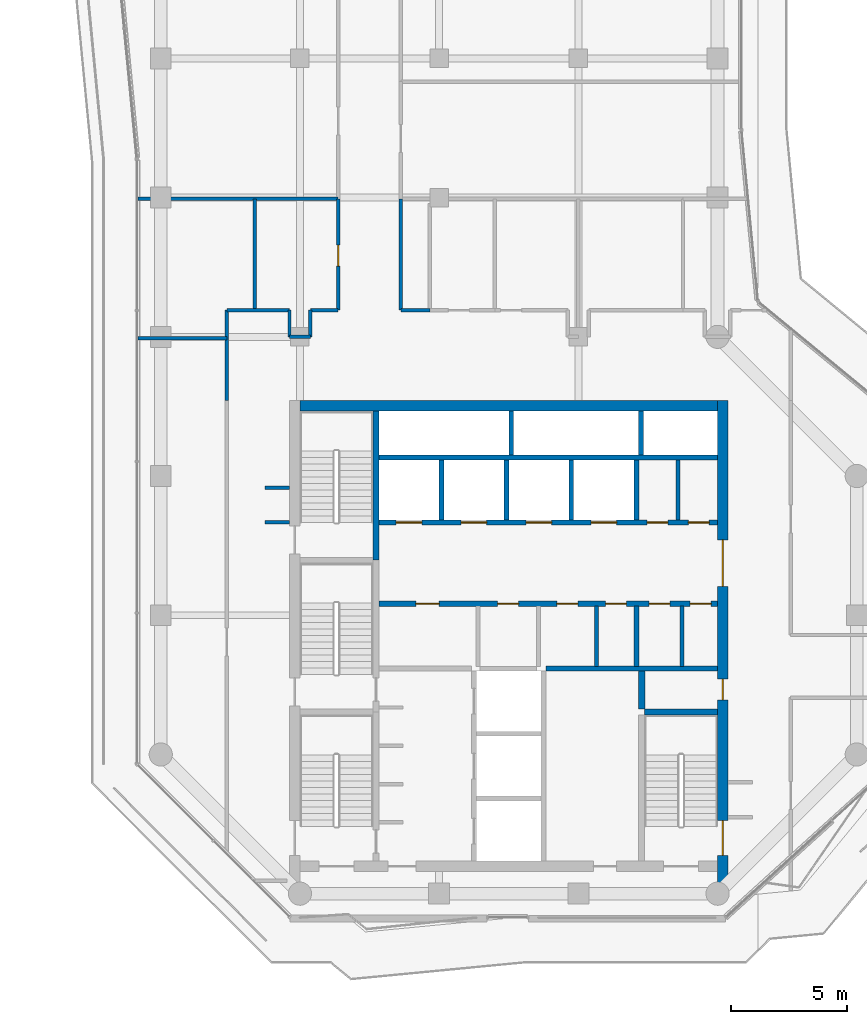
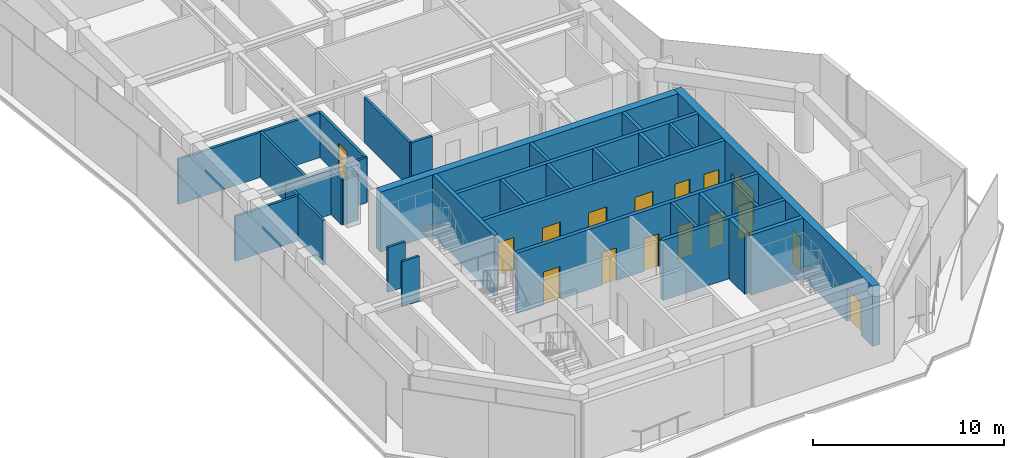
# One storey, part 19 of 23: 33 walls, 16 doors, 16 openings.
"""IFC4 building model written with IfcOpenShell, lengths in metres."""

from ifc_helpers import new_model, si_unit, direction, frame, frame_2d, origin, place, context, subcontext, project, spatial, rectangle, extrude, material, layer, layer_set, type_object, element, fill, save


model = new_model("IFC4")

# Units and contexts
model_context = context("Model", 3, precision=1e-05, world=origin(), true_north=direction((0.0, 1.0)))
body_context = subcontext(model_context, "Body", "Model", "MODEL_VIEW")
ifc_project = project(units=[si_unit("LENGTHUNIT", "METRE"), si_unit("AREAUNIT", "SQUARE_METRE"), si_unit("VOLUMEUNIT", "CUBIC_METRE"), si_unit("PLANEANGLEUNIT", "RADIAN"), si_unit("MASSUNIT", "GRAM", prefix="KILO")], contexts=[model_context])

# Site, building, storey
site_placement = place(None, origin())
site = spatial("IfcSite", under=ifc_project, at=site_placement, CompositionType="ELEMENT")
building_placement = place(site_placement, origin())
building = spatial("IfcBuilding", under=site, at=building_placement, Name="Welwitschia Terrace Campus", CompositionType="ELEMENT")
storey_placement = place(building_placement, frame((0.0, 0.0, 205.39990234375)))
storey = spatial("IfcBuildingStorey", under=building, at=storey_placement, Name="L45", CompositionType="ELEMENT", Elevation=205.39990234375)

# Walls
ifc_material_1 = material(Name="Concrete C32/40", Category="concrete")
ifc_layer_1 = layer(ifc_material_1, 0.175048828125)
ifc_layer_set_1 = layer_set([ifc_layer_1], Name="Concrete C32/40")
wall_type_1 = type_object("IfcWallType", Name="Core partition 175 Concrete C32/40", PredefinedType="PARTITIONING", material=ifc_layer_set_1)
for number, where, z_axis, x_axis, name in (
    (1, (18.77490234375, 13.800048828125, 0.0), (0.0, 0.0, 1.0), (0.0, 1.0, 0.0), "Core partition"),
    (2, (22.300048828125, 20.10009765625, 0.0), (0.0, 0.0, 1.0), (0.0, 1.0, 0.0), "Core partition"),
    (3, (22.469970703125, 13.800048828125, 0.0), (0.0, 0.0, 1.0), (0.0, 1.0, 0.0), "Core partition"),
):
    element("IfcWall", number, at=place(storey_placement, frame(where, z_axis=z_axis, x_axis=x_axis)), inside=storey, type_object=wall_type_1, Name=name, PredefinedType="PARTITIONING", context=body_context, shape_type="SweptSolid", body=[
        extrude(rectangle(XDim=2.599853515625, YDim=0.175048828125, at=frame_2d((1.2998046875, 0.0))), origin(), (0.0, 0.0, 1.0), 3.85009765625),
    ])
ifc_material_2 = material(Name="Concrete C32/40", Category="concrete")
ifc_layer_2 = layer(ifc_material_2, 0.22509765625)
ifc_layer_set_2 = layer_set([ifc_layer_2], Name="Concrete C32/40")
wall_type_2 = type_object("IfcWallType", Name="Core partition 225 Concrete C32/40", PredefinedType="PARTITIONING", material=ifc_layer_set_2)
wall_1_placement = place(storey_placement, frame((16.60009765625, 13.699951171875, 0.0), z_axis=(0.0, 0.0, 1.0), x_axis=(1.0, 0.0, 0.0)))
element("IfcWall", 4, at=wall_1_placement, inside=storey, type_object=wall_type_2, Name="Core partition", PredefinedType="PARTITIONING", context=body_context, shape_type="SweptSolid", body=[
    extrude(rectangle(XDim=7.39990234375, YDim=0.22509765625, at=frame_2d((3.699951171875, 0.0))), origin(), (0.0, 0.0, 1.0), 3.85009765625),
])

# Wall, openings, doors
wall_2_placement = place(storey_placement, frame((9.39990234375, 16.5, 0.0), z_axis=(0.0, 0.0, 1.0), x_axis=(1.0, 0.0, 0.0)))
wall_2 = element("IfcWall", 5, at=wall_2_placement, inside=storey, type_object=wall_type_2, Name="Core partition", PredefinedType="PARTITIONING", context=body_context, shape_type="SweptSolid", body=[
    extrude(rectangle(XDim=14.60009765625, YDim=0.22509765625, at=frame_2d((7.300048828125, 0.0))), origin(), (0.0, 0.0, 1.0), 3.85009765625),
])
opening_1_placement = place(wall_2_placement, frame((1.60009765625, 0.0, 0.0)))
opening_1 = element("IfcOpeningElement", 6, at=opening_1_placement, cuts=wall_2, Name="Opening DR10", PredefinedType="OPENING", context=body_context, shape_type="SweptSolid", body=[
    extrude(rectangle(XDim=1.0, YDim=2.10009765625, at=frame_2d((0.5, 1.050048828125))), frame((0.0, 0.12255859375, 0.0), z_axis=(0.0, -1.0, 0.0), x_axis=(1.0, 0.0, 0.0)), (0.0, 0.0, 1.0), 0.2451171875),
])
opening_2_placement = place(wall_2_placement, frame((5.125, 0.0, 0.0)))
opening_2 = element("IfcOpeningElement", 7, at=opening_2_placement, cuts=wall_2, Name="Opening DR09", PredefinedType="OPENING", context=body_context, shape_type="SweptSolid", body=[
    extrude(rectangle(XDim=0.89990234375, YDim=2.10009765625, at=frame_2d((0.449951171875, 1.050048828125))), frame((0.0, 0.12255859375, 0.0), z_axis=(0.0, -1.0, 0.0), x_axis=(1.0, 0.0, 0.0)), (0.0, 0.0, 1.0), 0.2451171875),
])
opening_3_placement = place(wall_2_placement, frame((7.675048828125, 0.0, 0.0)))
opening_3 = element("IfcOpeningElement", 8, at=opening_3_placement, cuts=wall_2, Name="Opening DR09", PredefinedType="OPENING", context=body_context, shape_type="SweptSolid", body=[
    extrude(rectangle(XDim=0.89990234375, YDim=2.10009765625, at=frame_2d((0.449951171875, 1.050048828125))), frame((0.0, 0.12255859375, 0.0), z_axis=(0.0, -1.0, 0.0), x_axis=(1.0, 0.0, 0.0)), (0.0, 0.0, 1.0), 0.2451171875),
])
opening_4_placement = place(wall_2_placement, frame((9.77490234375, 0.0, 0.0)))
opening_4 = element("IfcOpeningElement", 9, at=opening_4_placement, cuts=wall_2, Name="Opening DR09", PredefinedType="OPENING", context=body_context, shape_type="SweptSolid", body=[
    extrude(rectangle(XDim=0.89990234375, YDim=2.10009765625, at=frame_2d((0.449951171875, 1.050048828125))), frame((0.0, 0.12255859375, 0.0), z_axis=(0.0, -1.0, 0.0), x_axis=(1.0, 0.0, 0.0)), (0.0, 0.0, 1.0), 0.2451171875),
])
opening_5_placement = place(wall_2_placement, frame((11.6474609375, 0.0, 0.0)))
opening_5 = element("IfcOpeningElement", 10, at=opening_5_placement, cuts=wall_2, Name="Opening DR09", PredefinedType="OPENING", context=body_context, shape_type="SweptSolid", body=[
    extrude(rectangle(XDim=0.89990234375, YDim=2.10009765625, at=frame_2d((0.449951171875, 1.050048828125))), frame((0.0, 0.12255859375, 0.0), z_axis=(0.0, -1.0, 0.0), x_axis=(1.0, 0.0, 0.0)), (0.0, 0.0, 1.0), 0.2451171875),
])
opening_6_placement = place(wall_2_placement, frame((13.422607421875, 0.0, 0.0)))
opening_6 = element("IfcOpeningElement", 11, at=opening_6_placement, cuts=wall_2, Name="Opening DR09", PredefinedType="OPENING", context=body_context, shape_type="SweptSolid", body=[
    extrude(rectangle(XDim=0.89990234375, YDim=2.10009765625, at=frame_2d((0.449951171875, 1.050048828125))), frame((0.0, 0.12255859375, 0.0), z_axis=(0.0, -1.0, 0.0), x_axis=(1.0, 0.0, 0.0)), (0.0, 0.0, 1.0), 0.2451171875),
])
ifc_material_3 = material(Name="Steel S275", Category="steel")
door_type_1 = type_object("IfcDoorType", Name="Core door DR09", OperationType="SINGLE_SWING_LEFT", PredefinedType="DOOR", material=ifc_material_3)
door_1_placement = place(opening_2_placement, origin())
door_1 = element("IfcDoor", 12, at=door_1_placement, inside=storey, type_object=door_type_1, Name="Door BAYL2-D", OperationType="SINGLE_SWING_LEFT", OverallHeight=2.10009765625, OverallWidth=0.89990234375, PredefinedType="DOOR", context=body_context, shape_type="SweptSolid", body=[
    extrude(rectangle(XDim=0.89990234375, YDim=2.10009765625, at=frame_2d((0.449951171875, 1.050048828125))), frame((0.0, 0.02490234375, 0.0), z_axis=(0.0, -1.0, 0.0), x_axis=(1.0, 0.0, 0.0)), (0.0, 0.0, 1.0), 0.050048828125),
])
fill(opening_2, door_1)
door_2_placement = place(opening_3_placement, origin())
door_2 = element("IfcDoor", 13, at=door_2_placement, inside=storey, type_object=door_type_1, Name="Door BAYL3-D", OperationType="SINGLE_SWING_RIGHT", OverallHeight=2.10009765625, OverallWidth=0.89990234375, PredefinedType="DOOR", context=body_context, shape_type="SweptSolid", body=[
    extrude(rectangle(XDim=0.89990234375, YDim=2.10009765625, at=frame_2d((0.449951171875, 1.050048828125))), frame((0.0, 0.02490234375, 0.0), z_axis=(0.0, -1.0, 0.0), x_axis=(1.0, 0.0, 0.0)), (0.0, 0.0, 1.0), 0.050048828125),
])
fill(opening_3, door_2)
door_3_placement = place(opening_4_placement, origin())
door_3 = element("IfcDoor", 14, at=door_3_placement, inside=storey, type_object=door_type_1, Name="Door BAYL4-D", OperationType="SINGLE_SWING_RIGHT", OverallHeight=2.10009765625, OverallWidth=0.89990234375, PredefinedType="DOOR", context=body_context, shape_type="SweptSolid", body=[
    extrude(rectangle(XDim=0.89990234375, YDim=2.10009765625, at=frame_2d((0.449951171875, 1.050048828125))), frame((0.0, 0.02490234375, 0.0), z_axis=(0.0, -1.0, 0.0), x_axis=(1.0, 0.0, 0.0)), (0.0, 0.0, 1.0), 0.050048828125),
])
fill(opening_4, door_3)
door_4_placement = place(opening_5_placement, origin())
door_4 = element("IfcDoor", 15, at=door_4_placement, inside=storey, type_object=door_type_1, Name="Door EL1-D", OperationType="SINGLE_SWING_RIGHT", OverallHeight=2.10009765625, OverallWidth=0.89990234375, PredefinedType="DOOR", context=body_context, shape_type="SweptSolid", body=[
    extrude(rectangle(XDim=0.89990234375, YDim=2.10009765625, at=frame_2d((0.449951171875, 1.050048828125))), frame((0.0, 0.02490234375, 0.0), z_axis=(0.0, -1.0, 0.0), x_axis=(1.0, 0.0, 0.0)), (0.0, 0.0, 1.0), 0.050048828125),
])
fill(opening_5, door_4)
door_5_placement = place(opening_6_placement, origin())
door_5 = element("IfcDoor", 16, at=door_5_placement, inside=storey, type_object=door_type_1, Name="Door EL2-D", OperationType="SINGLE_SWING_RIGHT", OverallHeight=2.10009765625, OverallWidth=0.89990234375, PredefinedType="DOOR", context=body_context, shape_type="SweptSolid", body=[
    extrude(rectangle(XDim=0.89990234375, YDim=2.10009765625, at=frame_2d((0.449951171875, 1.050048828125))), frame((0.0, 0.02490234375, 0.0), z_axis=(0.0, -1.0, 0.0), x_axis=(1.0, 0.0, 0.0)), (0.0, 0.0, 1.0), 0.050048828125),
])
fill(opening_6, door_5)
ifc_material_4 = material(Name="Steel S275", Category="steel")
door_type_2 = type_object("IfcDoorType", Name="Core door DR10", OperationType="SINGLE_SWING_LEFT", PredefinedType="DOOR", material=ifc_material_4)
door_6_placement = place(opening_1_placement, origin())
door_6 = element("IfcDoor", 17, at=door_6_placement, inside=storey, type_object=door_type_2, Name="Door BAYL1-D", OperationType="SINGLE_SWING_LEFT", OverallHeight=2.10009765625, OverallWidth=1.0, PredefinedType="DOOR", context=body_context, shape_type="SweptSolid", body=[
    extrude(rectangle(XDim=1.0, YDim=2.10009765625, at=frame_2d((0.5, 1.050048828125))), frame((0.0, 0.02490234375, 0.0), z_axis=(0.0, -1.0, 0.0), x_axis=(1.0, 0.0, 0.0)), (0.0, 0.0, 1.0), 0.050048828125),
])
fill(opening_1, door_6)

wall_3_placement = place(storey_placement, frame((24.0, 20.0, 0.0), z_axis=(0.0, 0.0, 1.0), x_axis=(-1.0, 0.0, 0.0)))
wall_3 = element("IfcWall", 18, at=wall_3_placement, inside=storey, type_object=wall_type_2, Name="Shaft wall", PredefinedType="PARTITIONING", context=body_context, shape_type="SweptSolid", body=[
    extrude(rectangle(XDim=14.60009765625, YDim=0.22509765625, at=frame_2d((7.300048828125, 0.0))), origin(), (0.0, 0.0, 1.0), 3.85009765625),
])
opening_7_placement = place(wall_3_placement, frame((12.75, 0.0, 0.0)))
opening_7 = element("IfcOpeningElement", 19, at=opening_7_placement, cuts=wall_3, Name="Opening LD", PredefinedType="OPENING", context=body_context, shape_type="SweptSolid", body=[
    extrude(rectangle(XDim=1.10009765625, YDim=2.10009765625, at=frame_2d((0.550048828125, 1.050048828125))), frame((0.0, 0.12255859375, 0.0), z_axis=(0.0, -1.0, 0.0), x_axis=(1.0, 0.0, 0.0)), (0.0, 0.0, 1.0), 0.2451171875),
])
opening_8_placement = place(wall_3_placement, frame((9.949951171875, 0.0, 0.0)))
opening_8 = element("IfcOpeningElement", 20, at=opening_8_placement, cuts=wall_3, Name="Opening LD", PredefinedType="OPENING", context=body_context, shape_type="SweptSolid", body=[
    extrude(rectangle(XDim=1.10009765625, YDim=2.10009765625, at=frame_2d((0.550048828125, 1.050048828125))), frame((0.0, 0.12255859375, 0.0), z_axis=(0.0, -1.0, 0.0), x_axis=(1.0, 0.0, 0.0)), (0.0, 0.0, 1.0), 0.2451171875),
])
opening_9_placement = place(wall_3_placement, frame((7.14990234375, 0.0, 0.0)))
opening_9 = element("IfcOpeningElement", 21, at=opening_9_placement, cuts=wall_3, Name="Opening LD", PredefinedType="OPENING", context=body_context, shape_type="SweptSolid", body=[
    extrude(rectangle(XDim=1.10009765625, YDim=2.10009765625, at=frame_2d((0.550048828125, 1.050048828125))), frame((0.0, 0.12255859375, 0.0), z_axis=(0.0, -1.0, 0.0), x_axis=(1.0, 0.0, 0.0)), (0.0, 0.0, 1.0), 0.2451171875),
])
opening_10_placement = place(wall_3_placement, frame((4.35009765625, 0.0, 0.0)))
opening_10 = element("IfcOpeningElement", 22, at=opening_10_placement, cuts=wall_3, Name="Opening LD", PredefinedType="OPENING", context=body_context, shape_type="SweptSolid", body=[
    extrude(rectangle(XDim=1.10009765625, YDim=2.10009765625, at=frame_2d((0.550048828125, 1.050048828125))), frame((0.0, 0.12255859375, 0.0), z_axis=(0.0, -1.0, 0.0), x_axis=(1.0, 0.0, 0.0)), (0.0, 0.0, 1.0), 0.2451171875),
])
opening_11_placement = place(wall_3_placement, frame((2.137451171875, 0.0, 0.0)))
opening_11 = element("IfcOpeningElement", 23, at=opening_11_placement, cuts=wall_3, Name="Opening DR09", PredefinedType="OPENING", context=body_context, shape_type="SweptSolid", body=[
    extrude(rectangle(XDim=0.89990234375, YDim=2.10009765625, at=frame_2d((0.449951171875, 1.050048828125))), frame((0.0, 0.12255859375, 0.0), z_axis=(0.0, -1.0, 0.0), x_axis=(1.0, 0.0, 0.0)), (0.0, 0.0, 1.0), 0.2451171875),
])
opening_12_placement = place(wall_3_placement, frame((0.362548828125, 0.0, 0.0)))
opening_12 = element("IfcOpeningElement", 24, at=opening_12_placement, cuts=wall_3, Name="Opening DR09", PredefinedType="OPENING", context=body_context, shape_type="SweptSolid", body=[
    extrude(rectangle(XDim=0.89990234375, YDim=2.10009765625, at=frame_2d((0.449951171875, 1.050048828125))), frame((0.0, 0.12255859375, 0.0), z_axis=(0.0, -1.0, 0.0), x_axis=(1.0, 0.0, 0.0)), (0.0, 0.0, 1.0), 0.2451171875),
])
door_7_placement = place(opening_11_placement, origin())
door_7 = element("IfcDoor", 25, at=door_7_placement, inside=storey, type_object=door_type_1, Name="Door EH1-D", OperationType="SINGLE_SWING_LEFT", OverallHeight=2.10009765625, OverallWidth=0.89990234375, PredefinedType="DOOR", context=body_context, shape_type="SweptSolid", body=[
    extrude(rectangle(XDim=0.89990234375, YDim=2.10009765625, at=frame_2d((0.449951171875, 1.050048828125))), frame((0.0, 0.02490234375, 0.0), z_axis=(0.0, -1.0, 0.0), x_axis=(1.0, 0.0, 0.0)), (0.0, 0.0, 1.0), 0.050048828125),
])
fill(opening_11, door_7)
door_8_placement = place(opening_12_placement, origin())
door_8 = element("IfcDoor", 26, at=door_8_placement, inside=storey, type_object=door_type_1, Name="Door EH2-D", OperationType="SINGLE_SWING_LEFT", OverallHeight=2.10009765625, OverallWidth=0.89990234375, PredefinedType="DOOR", context=body_context, shape_type="SweptSolid", body=[
    extrude(rectangle(XDim=0.89990234375, YDim=2.10009765625, at=frame_2d((0.449951171875, 1.050048828125))), frame((0.0, 0.02490234375, 0.0), z_axis=(0.0, -1.0, 0.0), x_axis=(1.0, 0.0, 0.0)), (0.0, 0.0, 1.0), 0.050048828125),
])
fill(opening_12, door_8)
ifc_material_5 = material(Name="Stainless steel 304", Category="steel")
door_type_3 = type_object("IfcDoorType", Name="Lift landing door", OperationType="DOUBLE_DOOR_SLIDING", PredefinedType="DOOR", material=ifc_material_5)
door_9_placement = place(opening_7_placement, origin())
door_9 = element("IfcDoor", 27, at=door_9_placement, inside=storey, type_object=door_type_3, Name="Landing door HR1", OperationType="DOUBLE_DOOR_SLIDING", OverallHeight=2.10009765625, OverallWidth=1.10009765625, PredefinedType="DOOR", context=body_context, shape_type="SweptSolid", body=[
    extrude(rectangle(XDim=1.10009765625, YDim=2.10009765625, at=frame_2d((0.550048828125, 1.050048828125))), frame((0.0, 0.02490234375, 0.0), z_axis=(0.0, -1.0, 0.0), x_axis=(1.0, 0.0, 0.0)), (0.0, 0.0, 1.0), 0.050048828125),
])
fill(opening_7, door_9)
door_10_placement = place(opening_8_placement, origin())
door_10 = element("IfcDoor", 28, at=door_10_placement, inside=storey, type_object=door_type_3, Name="Landing door HR2", OperationType="DOUBLE_DOOR_SLIDING", OverallHeight=2.10009765625, OverallWidth=1.10009765625, PredefinedType="DOOR", context=body_context, shape_type="SweptSolid", body=[
    extrude(rectangle(XDim=1.10009765625, YDim=2.10009765625, at=frame_2d((0.550048828125, 1.050048828125))), frame((0.0, 0.02490234375, 0.0), z_axis=(0.0, -1.0, 0.0), x_axis=(1.0, 0.0, 0.0)), (0.0, 0.0, 1.0), 0.050048828125),
])
fill(opening_8, door_10)
door_11_placement = place(opening_9_placement, origin())
door_11 = element("IfcDoor", 29, at=door_11_placement, inside=storey, type_object=door_type_3, Name="Landing door HR3", OperationType="DOUBLE_DOOR_SLIDING", OverallHeight=2.10009765625, OverallWidth=1.10009765625, PredefinedType="DOOR", context=body_context, shape_type="SweptSolid", body=[
    extrude(rectangle(XDim=1.10009765625, YDim=2.10009765625, at=frame_2d((0.550048828125, 1.050048828125))), frame((0.0, 0.02490234375, 0.0), z_axis=(0.0, -1.0, 0.0), x_axis=(1.0, 0.0, 0.0)), (0.0, 0.0, 1.0), 0.050048828125),
])
fill(opening_9, door_11)
door_12_placement = place(opening_10_placement, origin())
door_12 = element("IfcDoor", 30, at=door_12_placement, inside=storey, type_object=door_type_3, Name="Landing door HR4", OperationType="DOUBLE_DOOR_SLIDING", OverallHeight=2.10009765625, OverallWidth=1.10009765625, PredefinedType="DOOR", context=body_context, shape_type="SweptSolid", body=[
    extrude(rectangle(XDim=1.10009765625, YDim=2.10009765625, at=frame_2d((0.550048828125, 1.050048828125))), frame((0.0, 0.02490234375, 0.0), z_axis=(0.0, -1.0, 0.0), x_axis=(1.0, 0.0, 0.0)), (0.0, 0.0, 1.0), 0.050048828125),
])
fill(opening_10, door_12)

# Walls
wall_4_placement = place(storey_placement, frame((9.39990234375, 22.800048828125, 0.0), z_axis=(0.0, 0.0, 1.0), x_axis=(1.0, 0.0, 0.0)))
element("IfcWall", 31, at=wall_4_placement, inside=storey, type_object=wall_type_2, Name="Shaft wall", PredefinedType="PARTITIONING", context=body_context, shape_type="SweptSolid", body=[
    extrude(rectangle(XDim=14.60009765625, YDim=0.22509765625, at=frame_2d((7.300048828125, 0.0))), origin(), (0.0, 0.0, 1.0), 3.85009765625),
])
for number, where, z_axis, x_axis, name in (
    (32, (20.5, 13.800048828125, 0.0), (0.0, 0.0, 1.0), (0.0, 1.0, 0.0), "Core partition"),
    (33, (20.5, 20.10009765625, 0.0), (0.0, 0.0, 1.0), (0.0, 1.0, 0.0), "Shaft wall"),
):
    element("IfcWall", number, at=place(storey_placement, frame(where, z_axis=z_axis, x_axis=x_axis)), inside=storey, type_object=wall_type_2, Name=name, PredefinedType="PARTITIONING", context=body_context, shape_type="SweptSolid", body=[
        extrude(rectangle(XDim=2.599853515625, YDim=0.22509765625, at=frame_2d((1.2998046875, 0.0))), origin(), (0.0, 0.0, 1.0), 3.85009765625),
    ])
ifc_material_6 = material(Name="Concrete C32/40", Category="concrete")
ifc_layer_3 = layer(ifc_material_6, 0.27490234375)
ifc_layer_set_3 = layer_set([ifc_layer_3], Name="Concrete C32/40")
wall_type_3 = type_object("IfcWallType", Name="Core partition 275 Concrete C32/40", PredefinedType="PARTITIONING", material=ifc_layer_set_3)
wall_5_placement = place(storey_placement, frame((20.72509765625, 11.949951171875, 0.0), z_axis=(0.0, 0.0, 1.0), x_axis=(0.0, 1.0, 0.0)))
element("IfcWall", 34, at=wall_5_placement, inside=storey, type_object=wall_type_3, Name="Core partition", PredefinedType="PARTITIONING", context=body_context, shape_type="SweptSolid", body=[
    extrude(rectangle(XDim=1.650146484375, YDim=0.27490234375, at=frame_2d((0.8251953125, 0.0))), origin(), (0.0, 0.0, 1.0), 3.85009765625),
])
ifc_material_7 = material(Name="Concrete C50/60", Category="concrete")
ifc_layer_4 = layer(ifc_material_7, 0.199951171875)
ifc_layer_set_4 = layer_set([ifc_layer_4], Name="Concrete C50/60")
wall_type_4 = type_object("IfcWallType", Name="Core wall 200 Concrete C50/60", PredefinedType="SHEAR", material=ifc_layer_set_4)
for number, where, z_axis, x_axis, name in (
    (35, (15.10009765625, 22.89990234375, 0.0), (0.0, 0.0, 1.0), (0.0, 1.0, 0.0), "Core wall"),
    (36, (20.699951171875, 22.89990234375, 0.0), (0.0, 0.0, 1.0), (0.0, 1.0, 0.0), "Core wall"),
):
    element("IfcWall", number, at=place(storey_placement, frame(where, z_axis=z_axis, x_axis=x_axis)), inside=storey, type_object=wall_type_4, Name=name, PredefinedType="SHEAR", context=body_context, shape_type="SweptSolid", body=[
        extrude(rectangle(XDim=1.900146484375, YDim=0.199951171875, at=frame_2d((0.9501953125, 0.0))), origin(), (0.0, 0.0, 1.0), 3.85009765625),
    ])
ifc_material_8 = material(Name="Concrete C50/60", Category="concrete")
ifc_layer_5 = layer(ifc_material_8, 0.25)
ifc_layer_set_5 = layer_set([ifc_layer_5], Name="Concrete C50/60")
wall_type_5 = type_object("IfcWallType", Name="Core wall 250 Concrete C50/60", PredefinedType="SHEAR", material=ifc_layer_set_5)
wall_6_placement = place(storey_placement, frame((20.85009765625, 11.824951171875, 0.0), z_axis=(0.0, 0.0, 1.0), x_axis=(1.0, 0.0, 0.0)))
element("IfcWall", 37, at=wall_6_placement, inside=storey, type_object=wall_type_5, Name="Core wall", PredefinedType="SHEAR", context=body_context, shape_type="SweptSolid", body=[
    extrude(rectangle(XDim=3.14990234375, YDim=0.25, at=frame_2d((1.574951171875, 0.0))), origin(), (0.0, 0.0, 1.0), 3.85009765625),
])
wall_7_placement = place(storey_placement, frame((9.27490234375, 18.375, 0.0), z_axis=(0.0, 0.0, 1.0), x_axis=(0.0, 1.0, 0.0)))
element("IfcWall", 38, at=wall_7_placement, inside=storey, type_object=wall_type_5, Name="Core wall", PredefinedType="SHEAR", context=body_context, shape_type="SweptSolid", body=[
    extrude(rectangle(XDim=6.425048828125, YDim=0.25, at=frame_2d((3.21240234375, 0.0))), origin(), (0.0, 0.0, 1.0), 3.85009765625),
])

# Wall, openings, doors
ifc_material_9 = material(Name="Concrete C60/75", Category="concrete")
ifc_layer_6 = layer(ifc_material_9, 0.449951171875)
ifc_layer_set_6 = layer_set([ifc_layer_6], Name="Concrete C60/75")
wall_type_6 = type_object("IfcWallType", Name="Core wall 450 Concrete C60/75", PredefinedType="SHEAR", material=ifc_layer_set_6)
wall_8_placement = place(storey_placement, frame((24.22509765625, 25.25, 0.0), z_axis=(0.0, 0.0, 1.0), x_axis=(0.0, -1.0, 0.0)))
wall_8 = element("IfcWall", 39, at=wall_8_placement, inside=storey, type_object=wall_type_6, Name="Core outer wall", PredefinedType="SHEAR", context=body_context, shape_type="SweptSolid", body=[
    extrude(rectangle(XDim=20.780029296875, YDim=0.449951171875, at=frame_2d((10.39013671875, 0.0))), origin(), (0.0, 0.0, 1.0), 3.85009765625),
])
opening_13_placement = place(wall_8_placement, frame((18.10009765625, 0.0, 0.0)))
opening_13 = element("IfcOpeningElement", 40, at=opening_13_placement, cuts=wall_8, Name="Opening DS15", PredefinedType="OPENING", context=body_context, shape_type="SweptSolid", body=[
    extrude(rectangle(XDim=1.5, YDim=2.10009765625, at=frame_2d((0.75, 1.050048828125))), frame((0.0, 0.23486328125, 0.0), z_axis=(0.0, -1.0, 0.0), x_axis=(1.0, 0.0, 0.0)), (0.0, 0.0, 1.0), 0.469970703125),
])
opening_14_placement = place(wall_8_placement, frame((12.0, 0.0, 0.0)))
opening_14 = element("IfcOpeningElement", 41, at=opening_14_placement, cuts=wall_8, Name="Opening DR09", PredefinedType="OPENING", context=body_context, shape_type="SweptSolid", body=[
    extrude(rectangle(XDim=0.89990234375, YDim=2.10009765625, at=frame_2d((0.449951171875, 1.050048828125))), frame((0.0, 0.23486328125, 0.0), z_axis=(0.0, -1.0, 0.0), x_axis=(1.0, 0.0, 0.0)), (0.0, 0.0, 1.0), 0.469970703125),
])
opening_15_placement = place(wall_8_placement, frame((6.0, 0.0, 0.0)))
opening_15 = element("IfcOpeningElement", 42, at=opening_15_placement, cuts=wall_8, Name="Opening DL20", PredefinedType="OPENING", context=body_context, shape_type="SweptSolid", body=[
    extrude(rectangle(XDim=2.0, YDim=2.10009765625, at=frame_2d((1.0, 1.050048828125))), frame((0.0, 0.23486328125, 0.0), z_axis=(0.0, -1.0, 0.0), x_axis=(1.0, 0.0, 0.0)), (0.0, 0.0, 1.0), 0.469970703125),
])
ifc_material_10 = material(Name="Steel S275", Category="steel")
door_type_4 = type_object("IfcDoorType", Name="Core door DL20", OperationType="DOUBLE_DOOR_SINGLE_SWING", PredefinedType="DOOR", material=ifc_material_10)
door_13_placement = place(opening_15_placement, origin())
door_13 = element("IfcDoor", 43, at=door_13_placement, inside=storey, type_object=door_type_4, Name="Door LOBBY-out", OperationType="DOUBLE_DOOR_SINGLE_SWING", OverallHeight=2.10009765625, OverallWidth=2.0, PredefinedType="DOOR", context=body_context, shape_type="SweptSolid", body=[
    extrude(rectangle(XDim=2.0, YDim=2.10009765625, at=frame_2d((1.0, 1.050048828125))), frame((0.0, 0.02490234375, 0.0), z_axis=(0.0, -1.0, 0.0), x_axis=(1.0, 0.0, 0.0)), (0.0, 0.0, 1.0), 0.050048828125),
])
fill(opening_15, door_13)
door_14_placement = place(opening_14_placement, origin())
door_14 = element("IfcDoor", 44, at=door_14_placement, inside=storey, type_object=door_type_1, Name="Door F1B-out", OperationType="SINGLE_SWING_RIGHT", OverallHeight=2.10009765625, OverallWidth=0.89990234375, PredefinedType="DOOR", context=body_context, shape_type="SweptSolid", body=[
    extrude(rectangle(XDim=0.89990234375, YDim=2.10009765625, at=frame_2d((0.449951171875, 1.050048828125))), frame((0.0, 0.02490234375, 0.0), z_axis=(0.0, -1.0, 0.0), x_axis=(1.0, 0.0, 0.0)), (0.0, 0.0, 1.0), 0.050048828125),
])
fill(opening_14, door_14)
ifc_material_11 = material(Name="Steel S275", Category="steel")
door_type_5 = type_object("IfcDoorType", Name="Core door DS15", OperationType="DOUBLE_DOOR_SINGLE_SWING", PredefinedType="DOOR", material=ifc_material_11)
door_15_placement = place(opening_13_placement, origin())
door_15 = element("IfcDoor", 45, at=door_15_placement, inside=storey, type_object=door_type_5, Name="Door S2-out", OperationType="DOUBLE_DOOR_SINGLE_SWING", OverallHeight=2.10009765625, OverallWidth=1.5, PredefinedType="DOOR", context=body_context, shape_type="SweptSolid", body=[
    extrude(rectangle(XDim=1.5, YDim=2.10009765625, at=frame_2d((0.75, 1.050048828125))), frame((0.0, 0.02490234375, 0.0), z_axis=(0.0, -1.0, 0.0), x_axis=(1.0, 0.0, 0.0)), (0.0, 0.0, 1.0), 0.050048828125),
])
fill(opening_13, door_15)

# Walls
wall_9_placement = place(storey_placement, frame((6.0, 25.02490234375, 0.0), z_axis=(0.0, 0.0, 1.0), x_axis=(1.0, 0.0, 0.0)))
element("IfcWall", 46, at=wall_9_placement, inside=storey, type_object=wall_type_6, Name="Core outer wall", PredefinedType="SHEAR", context=body_context, shape_type="SweptSolid", body=[
    extrude(rectangle(XDim=18.0, YDim=0.449951171875, at=frame_2d((9.0, 0.0))), origin(), (0.0, 0.0, 1.0), 3.85009765625),
])
ifc_material_12 = material(Name="Gypsum board on steel studs", Category="steel")
ifc_layer_7 = layer(ifc_material_12, 0.14990234375)
ifc_layer_set_7 = layer_set([ifc_layer_7], Name="Gypsum board on steel studs")
wall_type_7 = type_object("IfcWallType", Name="Corridor partition 150 EI 30", PredefinedType="PARTITIONING", material=ifc_layer_set_7)
wall_10_placement = place(storey_placement, frame((-0.97998046875, 27.949951171875, 0.0), z_axis=(0.0, 0.0, 1.0), x_axis=(1.0, 0.0, 0.0)))
element("IfcWall", 47, at=wall_10_placement, inside=storey, type_object=wall_type_7, Name="Partition", PredefinedType="PARTITIONING", context=body_context, shape_type="SweptSolid", body=[
    extrude(rectangle(XDim=3.830078125, YDim=0.14990234375, at=frame_2d((1.9150390625, 0.0))), origin(), (0.0, 0.0, 1.0), 2.880126953125),
])
wall_11_placement = place(storey_placement, frame((-0.97998046875, 33.949951171875, 0.0), z_axis=(0.0, 0.0, 1.0), x_axis=(1.0, 0.0, 0.0)))
element("IfcWall", 48, at=wall_11_placement, inside=storey, type_object=wall_type_7, Name="Partition", PredefinedType="PARTITIONING", context=body_context, shape_type="SweptSolid", body=[
    extrude(rectangle(XDim=8.6298828125, YDim=0.14990234375, at=frame_2d((4.31494140625, 0.0))), origin(), (0.0, 0.0, 1.0), 2.880126953125),
])
wall_12_placement = place(storey_placement, frame((2.85009765625, 25.25, 0.0), z_axis=(0.0, 0.0, 1.0), x_axis=(0.0, 1.0, 0.0)))
element("IfcWall", 49, at=wall_12_placement, inside=storey, type_object=wall_type_7, Name="Partition", PredefinedType="PARTITIONING", context=body_context, shape_type="SweptSolid", body=[
    extrude(rectangle(XDim=3.89990234375, YDim=0.14990234375, at=frame_2d((1.949951171875, 0.0))), origin(), (0.0, 0.0, 1.0), 2.880126953125),
])
wall_13_placement = place(storey_placement, frame((2.85009765625, 29.14990234375, 0.0), z_axis=(0.0, 0.0, 1.0), x_axis=(1.0, 0.0, 0.0)))
element("IfcWall", 50, at=wall_13_placement, inside=storey, type_object=wall_type_7, Name="Partition", PredefinedType="PARTITIONING", context=body_context, shape_type="SweptSolid", body=[
    extrude(rectangle(XDim=2.699951171875, YDim=0.14990234375, at=frame_2d((1.35009765625, 0.0))), origin(), (0.0, 0.0, 1.0), 2.880126953125),
])
wall_14_placement = place(storey_placement, frame((4.050048828125, 29.14990234375, 0.0), z_axis=(0.0, 0.0, 1.0), x_axis=(0.0, 1.0, 0.0)))
element("IfcWall", 51, at=wall_14_placement, inside=storey, type_object=wall_type_7, Name="Partition", PredefinedType="PARTITIONING", context=body_context, shape_type="SweptSolid", body=[
    extrude(rectangle(XDim=4.800048828125, YDim=0.14990234375, at=frame_2d((2.39990234375, 0.0))), origin(), (0.0, 0.0, 1.0), 2.880126953125),
])
for number, where, z_axis, x_axis, name in (
    (52, (4.5, 20.0, 0.0), (0.0, 0.0, 1.0), (1.0, 0.0, 0.0), "Partition"),
    (53, (4.5, 21.5, 0.0), (0.0, 0.0, 1.0), (1.0, 0.0, 0.0), "Partition"),
):
    element("IfcWall", number, at=place(storey_placement, frame(where, z_axis=z_axis, x_axis=x_axis)), inside=storey, type_object=wall_type_7, Name=name, PredefinedType="PARTITIONING", context=body_context, shape_type="SweptSolid", body=[
        extrude(rectangle(XDim=1.050048828125, YDim=0.14990234375, at=frame_2d((0.52490234375, 0.0))), origin(), (0.0, 0.0, 1.0), 2.880126953125),
    ])
wall_15_placement = place(storey_placement, frame((5.550048828125, 28.0, 0.0), z_axis=(0.0, 0.0, 1.0), x_axis=(0.0, 1.0, 0.0)))
element("IfcWall", 54, at=wall_15_placement, inside=storey, type_object=wall_type_7, Name="Partition", PredefinedType="PARTITIONING", context=body_context, shape_type="SweptSolid", body=[
    extrude(rectangle(XDim=1.14990234375, YDim=0.14990234375, at=frame_2d((0.574951171875, 0.0))), origin(), (0.0, 0.0, 1.0), 2.880126953125),
])
wall_16_placement = place(storey_placement, frame((5.550048828125, 28.0, 0.0), z_axis=(0.0, 0.0, 1.0), x_axis=(1.0, 0.0, 0.0)))
element("IfcWall", 55, at=wall_16_placement, inside=storey, type_object=wall_type_7, Name="Partition", PredefinedType="PARTITIONING", context=body_context, shape_type="SweptSolid", body=[
    extrude(rectangle(XDim=0.89990234375, YDim=0.14990234375, at=frame_2d((0.449951171875, 0.0))), origin(), (0.0, 0.0, 1.0), 2.880126953125),
])
wall_17_placement = place(storey_placement, frame((6.449951171875, 28.0, 0.0), z_axis=(0.0, 0.0, 1.0), x_axis=(0.0, 1.0, 0.0)))
element("IfcWall", 56, at=wall_17_placement, inside=storey, type_object=wall_type_7, Name="Partition", PredefinedType="PARTITIONING", context=body_context, shape_type="SweptSolid", body=[
    extrude(rectangle(XDim=1.14990234375, YDim=0.14990234375, at=frame_2d((0.574951171875, 0.0))), origin(), (0.0, 0.0, 1.0), 2.880126953125),
])
wall_18_placement = place(storey_placement, frame((6.449951171875, 29.14990234375, 0.0), z_axis=(0.0, 0.0, 1.0), x_axis=(1.0, 0.0, 0.0)))
element("IfcWall", 57, at=wall_18_placement, inside=storey, type_object=wall_type_7, Name="Partition", PredefinedType="PARTITIONING", context=body_context, shape_type="SweptSolid", body=[
    extrude(rectangle(XDim=1.199951171875, YDim=0.14990234375, at=frame_2d((0.60009765625, 0.0))), origin(), (0.0, 0.0, 1.0), 2.880126953125),
])

# Wall, opening, door
wall_19_placement = place(storey_placement, frame((7.64990234375, 29.14990234375, 0.0), z_axis=(0.0, 0.0, 1.0), x_axis=(0.0, 1.0, 0.0)))
wall_19 = element("IfcWall", 58, at=wall_19_placement, inside=storey, type_object=wall_type_7, Name="Partition", PredefinedType="PARTITIONING", context=body_context, shape_type="SweptSolid", body=[
    extrude(rectangle(XDim=4.800048828125, YDim=0.14990234375, at=frame_2d((2.39990234375, 0.0))), origin(), (0.0, 0.0, 1.0), 2.880126953125),
])
opening_16_placement = place(wall_19_placement, frame((1.89990234375, 0.0, 0.0)))
opening_16 = element("IfcOpeningElement", 59, at=opening_16_placement, cuts=wall_19, Name="Opening DI09", PredefinedType="OPENING", context=body_context, shape_type="SweptSolid", body=[
    extrude(rectangle(XDim=0.89990234375, YDim=2.10009765625, at=frame_2d((0.449951171875, 1.050048828125))), frame((0.0, 0.0849609375, 0.0), z_axis=(0.0, -1.0, 0.0), x_axis=(1.0, 0.0, 0.0)), (0.0, 0.0, 1.0), 0.169921875),
])
ifc_material_13 = material(Name="Timber veneered door", Category="wood")
door_type_6 = type_object("IfcDoorType", Name="Interior door DI09", OperationType="NOTDEFINED", PredefinedType="DOOR", material=ifc_material_13)
door_16_placement = place(opening_16_placement, origin())
door_16 = element("IfcDoor", 60, at=door_16_placement, inside=storey, type_object=door_type_6, Name="Door L45 859", OperationType="SINGLE_SWING_RIGHT", OverallHeight=2.10009765625, OverallWidth=0.89990234375, PredefinedType="DOOR", context=body_context, shape_type="SweptSolid", body=[
    extrude(rectangle(XDim=0.89990234375, YDim=2.10009765625, at=frame_2d((0.449951171875, 1.050048828125))), frame((0.0, 0.02490234375, 0.0), z_axis=(0.0, -1.0, 0.0), x_axis=(1.0, 0.0, 0.0)), (0.0, 0.0, 1.0), 0.050048828125),
])
fill(opening_16, door_16)

# Walls
wall_20_placement = place(storey_placement, frame((10.35009765625, 29.14990234375, 0.0), z_axis=(0.0, 0.0, 1.0), x_axis=(0.0, 1.0, 0.0)))
element("IfcWall", 61, at=wall_20_placement, inside=storey, type_object=wall_type_7, Name="Partition", PredefinedType="PARTITIONING", context=body_context, shape_type="SweptSolid", body=[
    extrude(rectangle(XDim=4.800048828125, YDim=0.14990234375, at=frame_2d((2.39990234375, 0.0))), origin(), (0.0, 0.0, 1.0), 2.880126953125),
])
wall_21_placement = place(storey_placement, frame((10.35009765625, 29.14990234375, 0.0), z_axis=(0.0, 0.0, 1.0), x_axis=(1.0, 0.0, 0.0)))
element("IfcWall", 62, at=wall_21_placement, inside=storey, type_object=wall_type_7, Name="Partition", PredefinedType="PARTITIONING", context=body_context, shape_type="SweptSolid", body=[
    extrude(rectangle(XDim=1.25, YDim=0.14990234375, at=frame_2d((0.625, 0.0))), origin(), (0.0, 0.0, 1.0), 2.880126953125),
])
ifc_material_14 = material(Name="Concrete C32/40", Category="concrete")
ifc_layer_8 = layer(ifc_material_14, 0.199951171875)
ifc_layer_set_8 = layer_set([ifc_layer_8], Name="Concrete C32/40")
wall_type_8 = type_object("IfcWallType", Name="Shaft wall 200 Concrete C32/40", PredefinedType="SOLIDWALL", material=ifc_layer_set_8)
for number, where, z_axis, x_axis, name in (
    (63, (12.10009765625, 20.10009765625, 0.0), (0.0, 0.0, 1.0), (0.0, 1.0, 0.0), "Shaft wall"),
    (64, (14.89990234375, 20.10009765625, 0.0), (0.0, 0.0, 1.0), (0.0, 1.0, 0.0), "Shaft wall"),
    (65, (17.699951171875, 20.10009765625, 0.0), (0.0, 0.0, 1.0), (0.0, 1.0, 0.0), "Shaft wall"),
):
    element("IfcWall", number, at=place(storey_placement, frame(where, z_axis=z_axis, x_axis=x_axis)), inside=storey, type_object=wall_type_8, Name=name, PredefinedType="SOLIDWALL", context=body_context, shape_type="SweptSolid", body=[
        extrude(rectangle(XDim=2.599853515625, YDim=0.199951171875, at=frame_2d((1.2998046875, 0.0))), origin(), (0.0, 0.0, 1.0), 3.85009765625),
    ])

save(model, "model.ifc")
